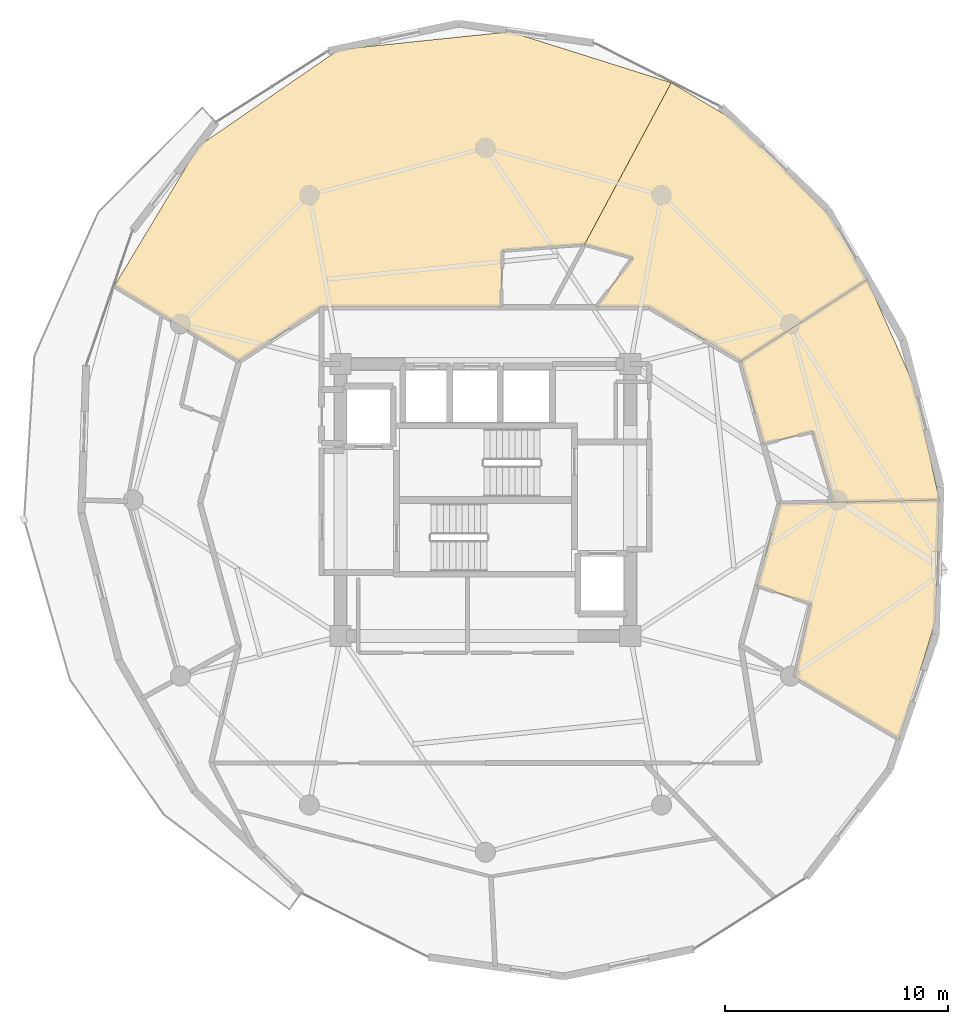
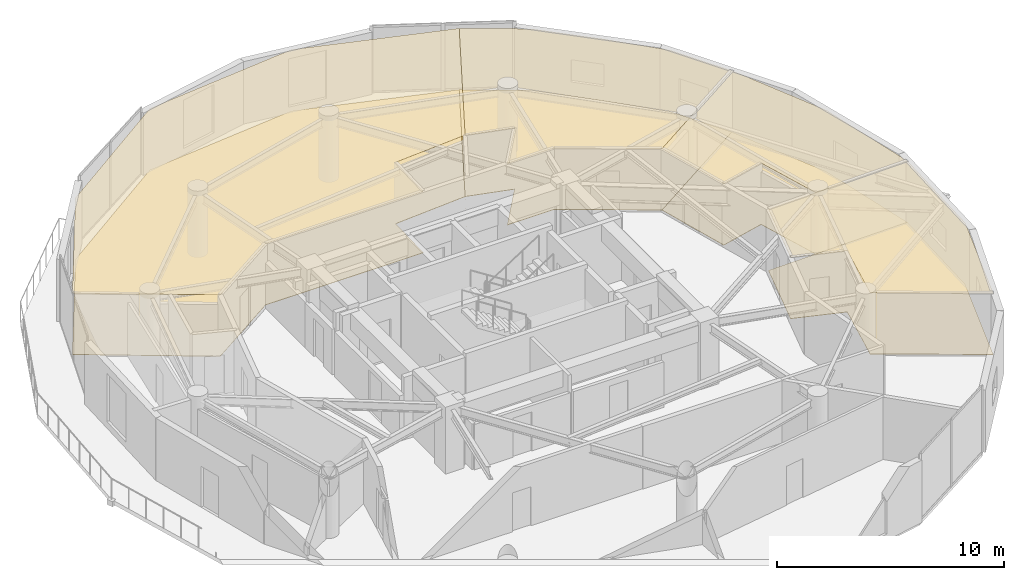
# One storey, part 19 of 19: 8 coverings.
"""IFC4 building model written with IfcOpenShell, lengths in metres."""

from ifc_helpers import new_model, si_unit, direction, frame, origin, place, context, subcontext, project, spatial, polyline, outline, extrude, material, layer, layer_set, type_object, element, save


model = new_model("IFC4")

# Units and contexts
model_context = context("Model", 3, precision=1e-05, world=origin(), true_north=direction((0.0, 1.0)))
body_context = subcontext(model_context, "Body", "Model", "MODEL_VIEW")
ifc_project = project(units=[si_unit("LENGTHUNIT", "METRE"), si_unit("AREAUNIT", "SQUARE_METRE"), si_unit("VOLUMEUNIT", "CUBIC_METRE"), si_unit("PLANEANGLEUNIT", "RADIAN"), si_unit("MASSUNIT", "GRAM", prefix="KILO")], contexts=[model_context])

# Site, building, storey
site_placement = place(None, origin())
site = spatial("IfcSite", under=ifc_project, at=site_placement, CompositionType="ELEMENT")
building_placement = place(site_placement, origin())
building = spatial("IfcBuilding", under=site, at=building_placement, Name="Solvirekh Grand Hotel", CompositionType="ELEMENT")
storey_placement = place(building_placement, frame((0.0, 0.0, 212.800048828125)))
storey = spatial("IfcBuildingStorey", under=building, at=storey_placement, Name="L55", CompositionType="ELEMENT", Elevation=212.800048828125)

# Coverings
ifc_material_1 = material(Name="Acoustic Mineral Ceiling Tile")
ifc_layer_1 = layer(ifc_material_1, 0.02490234375)
ifc_layer_set_1 = layer_set([ifc_layer_1], Name="Acoustic Mineral Ceiling Tile")
covering_type_1 = type_object("IfcCoveringType", Name="Cov_Ceiling_Acoustic", PredefinedType="CEILING", material=ifc_layer_set_1)
covering_1_placement = place(storey_placement, frame((0.0, 0.0, 3.31005859375)))
element("IfcCovering", 1, at=covering_1_placement, inside=storey, type_object=covering_type_1, Name="L55 Deluxe Guestroom 5701 acoustic ceiling", PredefinedType="CEILING", context=body_context, shape_type="SweptSolid", body=[
    extrude(outline(polyline([(2.93994140625, 8.64990234375), (4.449951171875, 11.468017578125), (6.618896484375, 10.868896484375), (4.968994140625, 8.64990234375), (7.35009765625, 8.64990234375), (11.4580078125, 6.22509765625), (17.126953125, 9.887939453125), (15.55908203125, 12.60009765625), (13.388916015625, 14.8701171875), (11.090087890625, 17.077880859375), (8.3330078125, 18.716064453125), (2.93994140625, 8.64990234375)])), origin(), (0.0, 0.0, 1.0), 0.017822265625),
])
covering_2_placement = place(storey_placement, frame((0.0, 0.0, 3.31005859375)))
element("IfcCovering", 2, at=covering_2_placement, inside=storey, type_object=covering_type_1, Name="L55 Panorama Suite 5702 acoustic ceiling", PredefinedType="CEILING", context=body_context, shape_type="SweptSolid", body=[
    extrude(outline(polyline([(0.68994140625, 8.64990234375), (0.7529296875, 11.18994140625), (4.449951171875, 11.468017578125), (8.3330078125, 18.716064453125), (1.10107421875, 21.0029296875), (-6.56494140625, 20.205078125), (-12.85888671875, 15.8798828125), (-16.639892578125, 9.60693359375), (-11.05810546875, 6.22509765625), (-7.35009765625, 8.64990234375), (0.68994140625, 8.64990234375)])), origin(), (0.0, 0.0, 1.0), 0.017822265625),
])
covering_3_placement = place(storey_placement, frame((0.0, 0.0, 3.31005859375)))
element("IfcCovering", 3, at=covering_3_placement, inside=storey, type_object=covering_type_1, Name="L55 Deluxe Guestroom 5704 acoustic ceiling", PredefinedType="CEILING", context=body_context, shape_type="SweptSolid", body=[
    extrude(outline(polyline([(14.613037109375, -4.653076171875), (13.8720703125, -7.949951171875), (18.55908203125, -10.715087890625), (20.18896484375, -5.409912109375), (20.361083984375, 0.0), (13.199951171875, -0.14990234375), (12.18994140625, -3.847900390625), (14.613037109375, -4.653076171875)])), origin(), (0.0, 0.0, 1.0), 0.017822265625),
])
covering_4_placement = place(storey_placement, frame((0.0, 0.0, 3.31005859375)))
element("IfcCovering", 4, at=covering_4_placement, inside=storey, type_object=covering_type_1, Name="L55 Deluxe Guestroom 5705 acoustic ceiling", PredefinedType="CEILING", context=body_context, shape_type="SweptSolid", body=[
    extrude(outline(polyline([(14.68994140625, 3.080078125), (15.635009765625, -0.09912109375), (20.361083984375, 0.0), (19.218994140625, 5.14990234375), (17.126953125, 9.887939453125), (11.4580078125, 6.22509765625), (12.468017578125, 2.527099609375), (14.68994140625, 3.080078125)])), origin(), (0.0, 0.0, 1.0), 0.017822265625),
])
ifc_material_2 = material(Name="Porcelain Stoneware Flooring", Category="masonry")
ifc_layer_2 = layer(ifc_material_2, 0.030029296875)
ifc_layer_set_2 = layer_set([ifc_layer_2], Name="Porcelain Stoneware Flooring")
covering_type_2 = type_object("IfcCoveringType", Name="Cov_Floor_Stone", PredefinedType="FLOORING", material=ifc_layer_set_2)
covering_5_placement = place(storey_placement, origin())
element("IfcCovering", 5, at=covering_5_placement, inside=storey, type_object=covering_type_2, Name="L55 Deluxe Guestroom 5701 polished granite flooring", PredefinedType="FLOORING", context=body_context, shape_type="SweptSolid", body=[
    extrude(outline(polyline([(2.93994140625, 8.64990234375), (4.449951171875, 11.468017578125), (6.618896484375, 10.868896484375), (4.968994140625, 8.64990234375), (7.35009765625, 8.64990234375), (11.4580078125, 6.22509765625), (17.126953125, 9.887939453125), (15.55908203125, 12.60009765625), (13.388916015625, 14.8701171875), (11.090087890625, 17.077880859375), (8.3330078125, 18.716064453125), (2.93994140625, 8.64990234375)])), origin(), (0.0, 0.0, 1.0), 0.02001953125),
])
covering_6_placement = place(storey_placement, origin())
element("IfcCovering", 6, at=covering_6_placement, inside=storey, type_object=covering_type_2, Name="L55 Panorama Suite 5702 polished granite flooring", PredefinedType="FLOORING", context=body_context, shape_type="SweptSolid", body=[
    extrude(outline(polyline([(0.68994140625, 8.64990234375), (0.7529296875, 11.18994140625), (4.449951171875, 11.468017578125), (8.3330078125, 18.716064453125), (1.10107421875, 21.0029296875), (-6.56494140625, 20.205078125), (-12.85888671875, 15.8798828125), (-16.639892578125, 9.60693359375), (-11.05810546875, 6.22509765625), (-7.35009765625, 8.64990234375), (0.68994140625, 8.64990234375)])), origin(), (0.0, 0.0, 1.0), 0.02001953125),
])
covering_7_placement = place(storey_placement, origin())
element("IfcCovering", 7, at=covering_7_placement, inside=storey, type_object=covering_type_2, Name="L55 Deluxe Guestroom 5704 polished granite flooring", PredefinedType="FLOORING", context=body_context, shape_type="SweptSolid", body=[
    extrude(outline(polyline([(14.613037109375, -4.653076171875), (13.8720703125, -7.949951171875), (18.55908203125, -10.715087890625), (20.18896484375, -5.409912109375), (20.361083984375, 0.0), (13.199951171875, -0.14990234375), (12.18994140625, -3.847900390625), (14.613037109375, -4.653076171875)])), origin(), (0.0, 0.0, 1.0), 0.02001953125),
])
covering_8_placement = place(storey_placement, origin())
element("IfcCovering", 8, at=covering_8_placement, inside=storey, type_object=covering_type_2, Name="L55 Deluxe Guestroom 5705 polished granite flooring", PredefinedType="FLOORING", context=body_context, shape_type="SweptSolid", body=[
    extrude(outline(polyline([(14.68994140625, 3.080078125), (15.635009765625, -0.09912109375), (20.361083984375, 0.0), (19.218994140625, 5.14990234375), (17.126953125, 9.887939453125), (11.4580078125, 6.22509765625), (12.468017578125, 2.527099609375), (14.68994140625, 3.080078125)])), origin(), (0.0, 0.0, 1.0), 0.02001953125),
])

save(model, "model.ifc")
